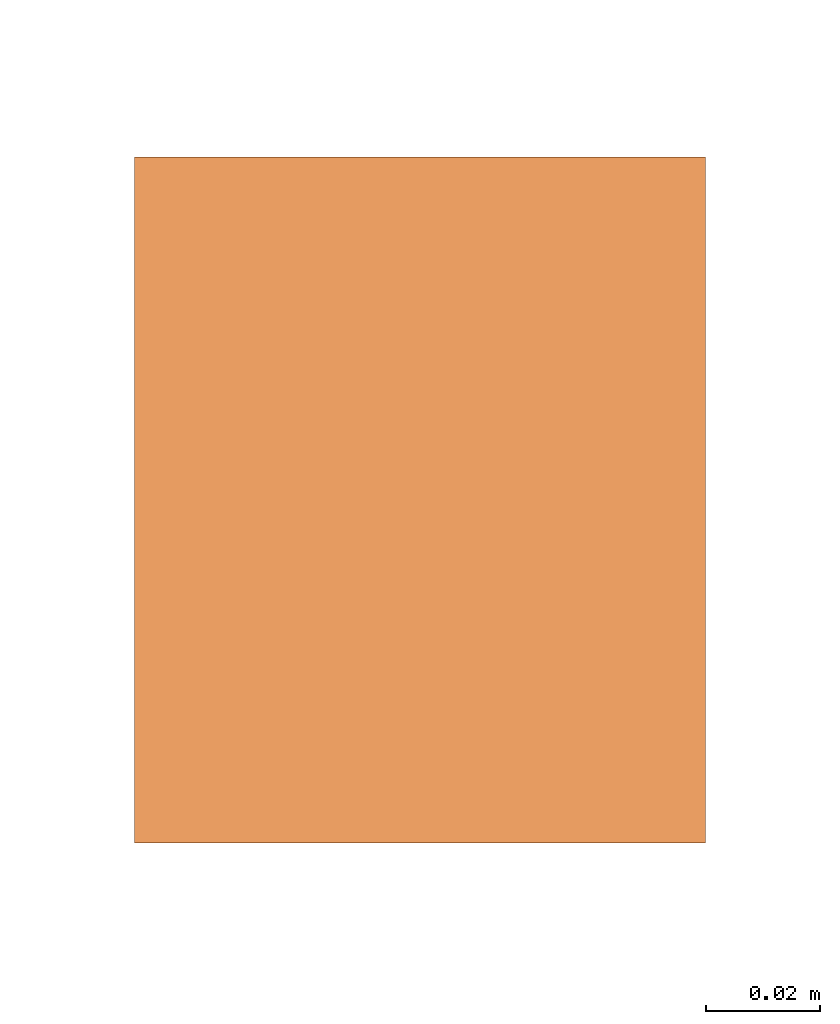
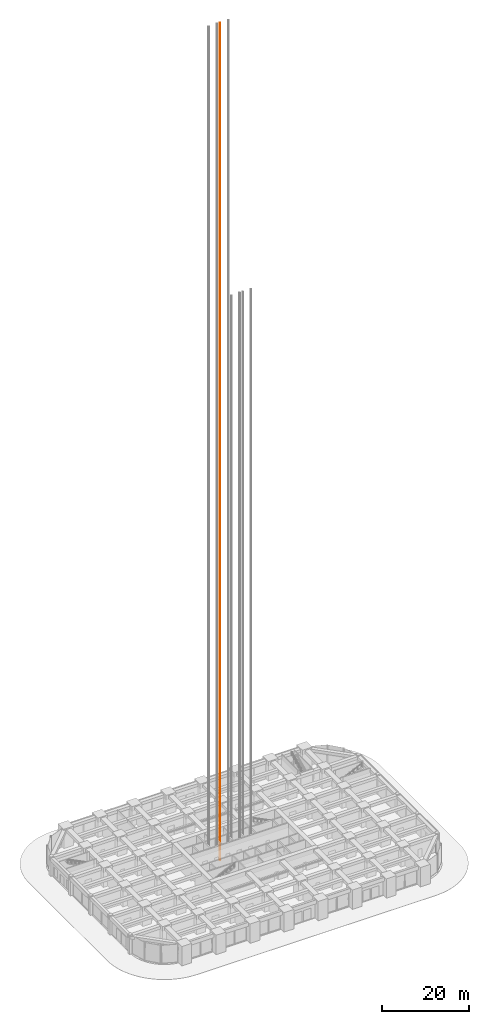
# One storey, part 50 of 56: 1 proxy.
"""IFC4 building model written with IfcOpenShell, lengths in metres."""

from ifc_helpers import new_model, si_unit, direction, frame, origin, origin_2d, place, context, subcontext, project, spatial, rectangle, extrude, element, save


model = new_model("IFC4")

# Units and contexts
model_context = context("Model", 3, precision=1e-05, world=origin(), true_north=direction((0.0, 1.0)))
body_context = subcontext(model_context, "Body", "Model", "MODEL_VIEW")
ifc_project = project(units=[si_unit("LENGTHUNIT", "METRE"), si_unit("AREAUNIT", "SQUARE_METRE"), si_unit("VOLUMEUNIT", "CUBIC_METRE"), si_unit("PLANEANGLEUNIT", "RADIAN"), si_unit("MASSUNIT", "GRAM", prefix="KILO")], contexts=[model_context])

# Site, building, storey
site_placement = place(None, origin())
site = spatial("IfcSite", under=ifc_project, at=site_placement, CompositionType="ELEMENT")
building_placement = place(site_placement, origin())
building = spatial("IfcBuilding", under=site, at=building_placement, Name="Zorevar Civic Tower", CompositionType="ELEMENT")
storey_placement = place(building_placement, origin())
storey = spatial("IfcBuildingStorey", under=building, at=storey_placement, Name="L00", CompositionType="ELEMENT", Elevation=0.0)

# Proxy
proxy_placement = place(storey_placement, frame((27.39990234375, 30.89990234375, 0.0), z_axis=(0.0, 0.0, 1.0), x_axis=(1.0, 0.0, 0.0)))
element("IfcBuildingElementProxy", 1, at=proxy_placement, inside=storey, Name="Passenger lift LH1 guide rail 1", PredefinedType="NOTDEFINED", context=body_context, shape_type="SweptSolid", body=[
    extrude(rectangle(XDim=0.10009765625, YDim=0.1201171875, at=origin_2d()), origin(), (0.0, 0.0, 1.0), 233.699951171875),
])

save(model, "model.ifc")
